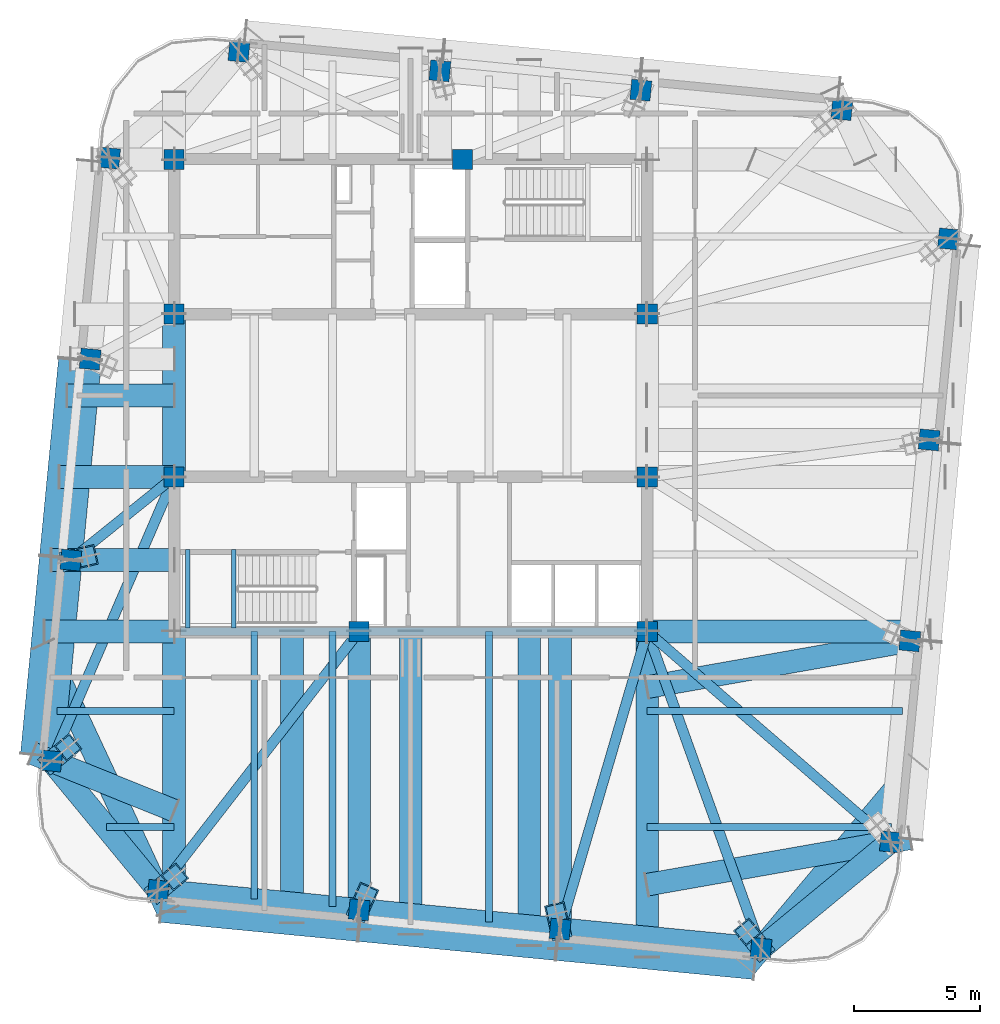
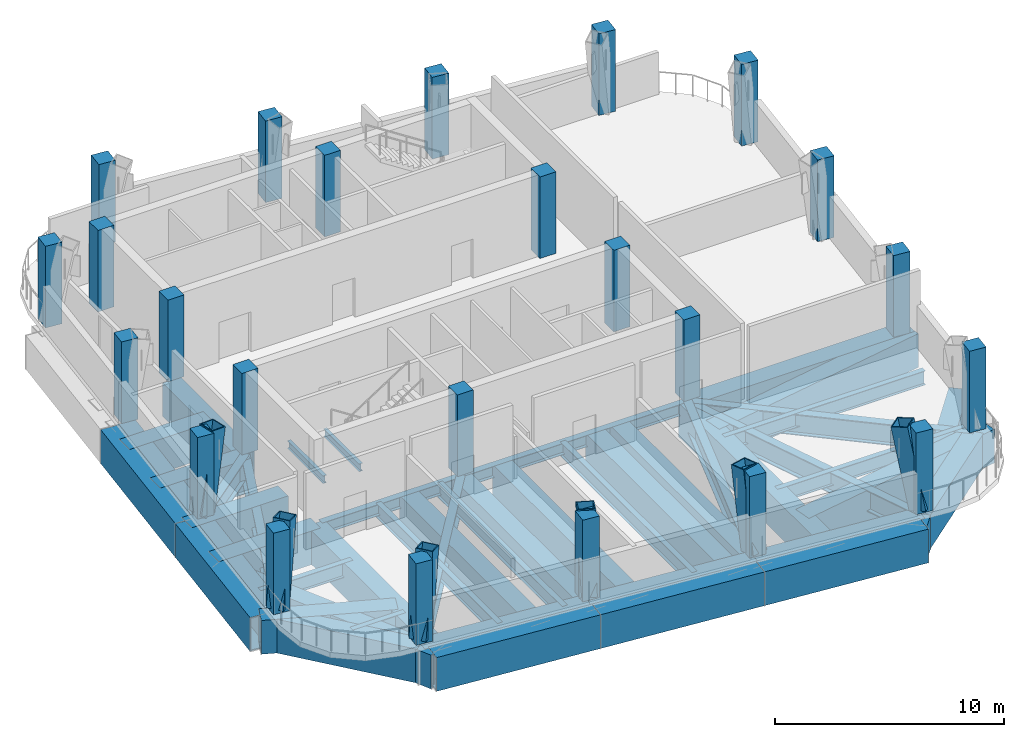
# One storey, part 1 of 9: 46 beams, 24 columns, 6 members.
"""IFC4 building model written with IfcOpenShell, lengths in metres."""

import ifcopenshell
import ifcopenshell.guid

model = None  # the IFC model being written
_history = None  # IfcOwnerHistory: only IFC2X3 demands one
_inside = {}  # id of a spatial element -> (the spatial element, [elements in it])
_under = {}  # id of a project, library or spatial element -> (it, [spatial elements below it])
_declared = {}  # id of a project -> (the project, [libraries it declares])
_typed = {}  # id of a type object -> (the type object, [elements of that type])
_made_of = {}  # id of a material, layer set ... -> (it, [elements and type objects made of it])


def new_model(schema):
    """Start an empty IFC model of exactly this schema.

    Asked for "IFC4X3", IfcOpenShell would pick the latest addendum, in which some entities
    have other attributes; the version numbers below select the first issue.
    IFC2X3 requires an IfcOwnerHistory on every rooted entity: one is made here for all.
    """
    global model, _history
    if schema == "IFC4X3":
        model = ifcopenshell.file(schema_version=(4, 3, 0, 0))
    else:
        model = ifcopenshell.file(schema=schema)
    _inside.clear()
    _under.clear()
    _declared.clear()
    _typed.clear()
    _made_of.clear()
    _history = None
    if model.schema == "IFC2X3":
        org = make("IfcOrganization", Name="unknown")
        user = make(
            "IfcPersonAndOrganization",
            ThePerson=make("IfcPerson", FamilyName="unknown"),
            TheOrganization=org,
        )
        app = make(
            "IfcApplication",
            ApplicationDeveloper=org,
            Version="unknown",
            ApplicationFullName="unknown",
            ApplicationIdentifier="unknown",
        )
        _history = make(
            "IfcOwnerHistory",
            OwningUser=user,
            OwningApplication=app,
            ChangeAction="ADDED",
            CreationDate=0,
        )
    return model


def make(cls, **values):
    """One entity of the class cls with the attributes given. An attribute that is None is left unset."""
    return model.create_entity(
        cls, **{name: value for name, value in values.items() if value is not None}
    )


def rooted(cls, **values):
    """An entity with a GlobalId (a new one), such as an element, a storey or a relation."""
    return make(cls, GlobalId=ifcopenshell.guid.new(), OwnerHistory=_history, **values)


def si_unit(unit_type, name, prefix=None):
    """IfcSIUnit, for example si_unit("LENGTHUNIT", "METRE", prefix="MILLI")."""
    return make("IfcSIUnit", UnitType=unit_type, Prefix=prefix, Name=name)


def assignment(units):
    """IfcUnitAssignment: the units of a project."""
    return None if units is None else make("IfcUnitAssignment", Units=units)


def point(xyz):
    """IfcCartesianPoint."""
    return None if xyz is None else make("IfcCartesianPoint", Coordinates=xyz)


def direction(xyz):
    """IfcDirection."""
    return None if xyz is None else make("IfcDirection", DirectionRatios=xyz)


def frame(location, z_axis=None, x_axis=None):
    """IfcAxis2Placement3D, a coordinate frame: its origin and axes. An axis left out is left unset."""
    return make(
        "IfcAxis2Placement3D",
        Location=point(location),
        Axis=direction(z_axis),
        RefDirection=direction(x_axis),
    )


def frame_2d(location, x_axis=None):
    """IfcAxis2Placement2D, a coordinate frame in the plane: its origin and x axis."""
    return make(
        "IfcAxis2Placement2D", Location=point(location), RefDirection=direction(x_axis)
    )


def origin():
    """The frame at (0, 0, 0) with its axes left unset."""
    return frame((0.0, 0.0, 0.0))


def origin_2d():
    """The frame at (0, 0) in the plane with its x axis left unset."""
    return frame_2d((0.0, 0.0))


def place(relative_to, where):
    """IfcLocalPlacement: puts the frame where relative to a parent placement (None: the world)."""
    return make(
        "IfcLocalPlacement", PlacementRelTo=relative_to, RelativePlacement=where
    )


def context(
    kind, dimensions, precision=None, world=None, true_north=None, identifier=None
):
    """IfcGeometricRepresentationContext, for example the 3D "Model" context."""
    return make(
        "IfcGeometricRepresentationContext",
        ContextIdentifier=identifier,
        ContextType=kind,
        CoordinateSpaceDimension=dimensions,
        Precision=precision,
        WorldCoordinateSystem=world,
        TrueNorth=true_north,
    )


def subcontext(parent, identifier, kind, view, scale=None):
    """IfcGeometricRepresentationSubContext, for example "Body" below "Model"."""
    return make(
        "IfcGeometricRepresentationSubContext",
        ContextIdentifier=identifier,
        ContextType=kind,
        ParentContext=parent,
        TargetScale=scale,
        TargetView=view,
    )


def project(units=None, contexts=None):
    """IfcProject with its units and contexts."""
    return rooted(
        "IfcProject",
        Name="project",
        RepresentationContexts=contexts,
        UnitsInContext=assignment(units),
    )


def spatial(cls, under=None, at=None, **own):
    """A site, building, storey or space (cls), placed at a placement, below another one or the project."""
    s = rooted(cls, ObjectPlacement=at, **own)
    if under is not None:
        _under.setdefault(under.id(), (under, []))[1].append(s)
    return s


def profile(cls, at=None, kind="AREA", **sizes):
    """A parametric profile (cls). Its sizes go by their IFC names, for example OverallWidth=200.0."""
    return make(cls, ProfileType=kind, Position=at, **sizes)


def rectangle(**sizes):
    """IfcRectangleProfileDef."""
    return profile("IfcRectangleProfileDef", **sizes)


def hollow_rectangle(**sizes):
    """IfcRectangleHollowProfileDef."""
    return profile("IfcRectangleHollowProfileDef", **sizes)


def i_section(**sizes):
    """IfcIShapeProfileDef."""
    return profile("IfcIShapeProfileDef", **sizes)


def extrude(swept, where, along, depth):
    """IfcExtrudedAreaSolid: the profile swept, set in the frame where, extruded along a direction by depth."""
    return make(
        "IfcExtrudedAreaSolid",
        SweptArea=swept,
        Position=where,
        ExtrudedDirection=direction(along),
        Depth=depth,
    )


def shape(context_of_items, identifier, shape_type, items):
    """IfcShapeRepresentation: the items that make up one representation, for example the "Body"."""
    return make(
        "IfcShapeRepresentation",
        ContextOfItems=context_of_items,
        RepresentationIdentifier=identifier,
        RepresentationType=shape_type,
        Items=items,
    )


def material(Name=None, Category=None):
    """IfcMaterial."""
    return make("IfcMaterial", Name=Name, Category=Category)


def material_profile(
    of_material, cross_section, Name=None, Category=None, Priority=None
):
    """IfcMaterialProfile: a cross section and its material."""
    return make(
        "IfcMaterialProfile",
        Name=Name,
        Material=of_material,
        Profile=cross_section,
        Priority=Priority,
        Category=Category,
    )


def profile_set(profiles, Name=None, composite=None):
    """IfcMaterialProfileSet."""
    return make(
        "IfcMaterialProfileSet",
        Name=Name,
        MaterialProfiles=profiles,
        CompositeProfile=composite,
    )


def made_of(thing, what):
    """Note that an element or type object is made of a material, layer set ...; save() writes the relation."""
    if what is not None:
        _made_of.setdefault(what.id(), (what, []))[1].append(thing)
    return thing


def type_object(cls, material=None, **own):
    """A type object (cls), such as IfcWallType, which elements share."""
    return made_of(rooted(cls, **own), material)


def element(
    cls,
    number,
    at=None,
    inside=None,
    cuts=None,
    type_object=None,
    material=None,
    context=None,
    identifier="Body",
    shape_type=None,
    held_by="IfcProductDefinitionShape",
    body=None,
    shapes=None,
    **own,
):
    """One element of the class cls, such as IfcWall. Its Tag is "e" and its number.

    at: its placement. inside: the storey or other place that contains it. cuts: it is an
    opening in that element (IfcRelVoidsElement). A single representation is given by context,
    identifier, shape_type and body (its items); several are given by shapes. held_by: the class
    of the entity that holds the representations. save() writes the other relations.
    """
    e = rooted(cls, Tag="e%d" % number, ObjectPlacement=at, **own)
    if body is not None:
        shapes = [shape(context, identifier, shape_type, body)]
    if shapes is not None:
        e.Representation = make(held_by, Representations=shapes)
    if inside is not None:
        _inside.setdefault(inside.id(), (inside, []))[1].append(e)
    if cuts is not None:
        rooted(
            "IfcRelVoidsElement", RelatingBuildingElement=cuts, RelatedOpeningElement=e
        )
    if type_object is not None:
        _typed.setdefault(type_object.id(), (type_object, []))[1].append(e)
    return made_of(e, material)


def aggregate(whole, parts):
    """IfcRelAggregates: a whole, such as a stair, and the parts it consists of."""
    return rooted("IfcRelAggregates", RelatingObject=whole, RelatedObjects=parts)


def save(model, path):
    """Write the relations noted so far, then the file.

    IfcRelAggregates (storeys below a building ...), IfcRelContainedInSpatialStructure (elements
    in a storey), IfcRelDefinesByType, IfcRelAssociatesMaterial and IfcRelDeclares: one each for
    every whole, place, type object, material and project.
    """
    for whole, parts in _under.values():
        aggregate(whole, parts)
    for where, things in _inside.values():
        rooted(
            "IfcRelContainedInSpatialStructure",
            RelatedElements=things,
            RelatingStructure=where,
        )
    for kind, things in _typed.values():
        rooted("IfcRelDefinesByType", RelatedObjects=things, RelatingType=kind)
    for what, things in _made_of.values():
        rooted("IfcRelAssociatesMaterial", RelatedObjects=things, RelatingMaterial=what)
    for by, libraries in _declared.values():
        rooted("IfcRelDeclares", RelatingContext=by, RelatedDefinitions=libraries)
    model.write(path)


model = new_model("IFC4")

# Units and contexts
model_context = context("Model", 3, precision=1e-05, world=origin(), true_north=direction((0.0, 1.0)))
body_context = subcontext(model_context, "Body", "Model", "MODEL_VIEW")
ifc_project = project(units=[si_unit("LENGTHUNIT", "METRE"), si_unit("AREAUNIT", "SQUARE_METRE"), si_unit("VOLUMEUNIT", "CUBIC_METRE"), si_unit("PLANEANGLEUNIT", "RADIAN"), si_unit("MASSUNIT", "GRAM", prefix="KILO")], contexts=[model_context])

# Site, building, storey
site_placement = place(None, origin())
site = spatial("IfcSite", under=ifc_project, at=site_placement, CompositionType="ELEMENT")
building_placement = place(site_placement, origin())
building = spatial("IfcBuilding", under=site, at=building_placement, Name="Qhalaya Broadcast Tower", CompositionType="ELEMENT")
storey_placement = place(building_placement, frame((0.0, 0.0, 284.89990234375)))
storey = spatial("IfcBuildingStorey", under=building, at=storey_placement, Name="L84", CompositionType="ELEMENT", Elevation=284.89990234375)

# Columns
ifc_material_1 = material(Name="Concrete C50/60", Category="concrete")
ifc_material_profile_1 = material_profile(ifc_material_1, rectangle(XDim=0.800048828125, YDim=0.800048828125, at=origin_2d()), Name="RC-COL 800x800")
ifc_profile_set_1 = profile_set([ifc_material_profile_1], Name="Concrete C50/60")
column_type = type_object("IfcColumnType", Name="RC Upper Column C10", PredefinedType="COLUMN", material=ifc_profile_set_1)
for number, where, z_axis, x_axis, name in (
    (1, (-10.00537109375, -19.012939453125, 0.0), (0.0, 0.0, 1.0), (0.995396198367, -0.09584575252, 0.0), "L84 Column COL-CR01"),
    (2, (-2.042236328125, -19.77978515625, 0.0), (0.0, 0.0, 1.0), (0.995396198367, -0.09584575252, 0.0), "L84 Column COL-CR02"),
    (3, (5.9208984375, -20.54638671875, 0.0), (0.0, 0.0, 1.0), (0.995396198367, -0.09584575252, 0.0), "L84 Column COL-CR03"),
    (4, (13.884033203125, -21.313232421875, 0.0), (0.0, 0.0, 1.0), (0.995396198367, -0.09584575252, 0.0), "L84 Column COL-CR04"),
    (5, (19.012939453125, -17.08544921875, 0.0), (0.0, 0.0, 1.0), (0.09584575252, 0.995396198367, 0.0), "L84 Column COL-CR05"),
    (6, (19.77978515625, -9.122314453125, 0.0), (0.0, 0.0, 1.0), (0.09584575252, 0.995396198367, 0.0), "L84 Column COL-CR06"),
    (7, (20.54638671875, -1.158935546875, 0.0), (0.0, 0.0, 1.0), (0.09584575252, 0.995396198367, 0.0), "L84 Column COL-CR07"),
    (8, (21.313232421875, 6.80419921875, 0.0), (0.0, 0.0, 1.0), (0.09584575252, 0.995396198367, 0.0), "L84 Column COL-CR08"),
    (9, (17.08544921875, 11.93310546875, 0.0), (0.0, 0.0, 1.0), (0.995396198367, -0.09584575252, 0.0), "L84 Column COL-CR09"),
    (10, (9.122314453125, 12.69970703125, 0.0), (0.0, 0.0, 1.0), (0.995396198367, -0.09584575252, 0.0), "L84 Column COL-CR10"),
    (11, (1.158935546875, 13.466552734375, 0.0), (0.0, 0.0, 1.0), (0.995396198367, -0.09584575252, 0.0), "L84 Column COL-CR11"),
    (12, (-6.80419921875, 14.2333984375, 0.0), (0.0, 0.0, 1.0), (0.995396198367, -0.09584575252, 0.0), "L84 Column COL-CR12"),
    (13, (-11.93310546875, 10.00537109375, 0.0), (0.0, 0.0, 1.0), (0.09584575252, 0.995396198367, 0.0), "L84 Column COL-CR13"),
    (14, (-12.69970703125, 2.042236328125, 0.0), (0.0, 0.0, 1.0), (0.09584575252, 0.995396198367, 0.0), "L84 Column COL-CR14"),
    (15, (-13.466552734375, -5.9208984375, 0.0), (0.0, 0.0, 1.0), (0.09584575252, 0.995396198367, 0.0), "L84 Column COL-CR15"),
    (16, (-14.2333984375, -13.884033203125, 0.0), (0.0, 0.0, 1.0), (0.09584575252, 0.995396198367, 0.0), "L84 Column COL-CR16"),
    (17, (-9.375, 9.949951171875, 0.0), (0.0, 0.0, 1.0), (1.0, 0.0, 0.0), "L84 Column COL-CC1"),
    (18, (2.050048828125, 9.949951171875, 0.0), (0.0, 0.0, 1.0), (1.0, 0.0, 0.0), "L84 Column COL-CC2"),
    (19, (-9.375, 3.824951171875, 0.0), (0.0, 0.0, 1.0), (1.0, 0.0, 0.0), "L84 Column COL-CC3"),
    (20, (9.375, 3.824951171875, 0.0), (0.0, 0.0, 1.0), (1.0, 0.0, 0.0), "L84 Column COL-CC4"),
    (21, (-9.375, -2.625, 0.0), (0.0, 0.0, 1.0), (1.0, 0.0, 0.0), "L84 Column COL-CC5"),
    (22, (9.375, -2.625, 0.0), (0.0, 0.0, 1.0), (1.0, 0.0, 0.0), "L84 Column COL-CC6"),
    (23, (-2.050048828125, -8.75, 0.0), (0.0, 0.0, 1.0), (1.0, 0.0, 0.0), "L84 Column COL-CC7"),
    (24, (9.375, -8.75, 0.0), (0.0, 0.0, 1.0), (1.0, 0.0, 0.0), "L84 Column COL-CC8"),
):
    element("IfcColumn", number, at=place(storey_placement, frame(where, z_axis=z_axis, x_axis=x_axis)), inside=storey, type_object=column_type, Name=name, PredefinedType="COLUMN", context=body_context, shape_type="SweptSolid", body=[
        extrude(rectangle(XDim=0.800048828125, YDim=0.800048828125, at=origin_2d()), origin(), (0.0, 0.0, 1.0), 4.35009765625),
    ])

# Beams
ifc_material_2 = material(Name="Structural Steel ASTM A572 Grade 50", Category="steel")
ifc_material_profile_2 = material_profile(ifc_material_2, hollow_rectangle(XDim=0.89990234375, YDim=1.800048828125, WallThickness=0.06005859375, at=origin_2d()), Name="BOX 900x1800x60")
ifc_profile_set_2 = profile_set([ifc_material_profile_2], Name="Structural Steel ASTM A572 Grade 50")
beam_type_1 = type_object("IfcBeamType", Name="Block Cantilever Transfer Box Girder TG1", PredefinedType="USERDEFINED", material=ifc_profile_set_2)
for number, where, z_axis, x_axis, name in (
    (25, (-10.00537109375, -19.012939453125, -1.179931640625), (0.995395208061, -0.095856036684, 0.0), (0.095856036684, 0.995395208061, 0.0), "L84 TG1 L84-SPR-01"),
    (26, (-2.042236328125, -19.77978515625, -1.179931640625), (0.995398119444, -0.095825799278, 0.0), (0.095825799278, 0.995398119444, 0.0), "L84 TG1 L84-SPR-02"),
    (27, (5.9208984375, -20.54638671875, -1.179931640625), (0.995395208061, -0.095856036684, 0.0), (0.095856036684, 0.995395208061, 0.0), "L84 TG1 L84-SPR-03"),
):
    element("IfcBeam", number, at=place(storey_placement, frame(where, z_axis=z_axis, x_axis=x_axis)), inside=storey, type_object=beam_type_1, Name=name, ObjectType="GIRDER", PredefinedType="USERDEFINED", context=body_context, shape_type="SweptSolid", body=[
        extrude(hollow_rectangle(XDim=0.89990234375, YDim=1.800048828125, WallThickness=0.06005859375, at=origin_2d()), origin(), (0.0, 0.0, 1.0), 8.0),
    ])
beam_1_placement = place(storey_placement, frame((13.884033203125, -21.313232421875, -1.179931640625), z_axis=(0.771636459898, 0.636063812645, 0.0), x_axis=(-0.636063812645, 0.771636459898, 0.0)))
element("IfcBeam", 28, at=beam_1_placement, inside=storey, type_object=beam_type_1, Name="L84 TG1 L84-SPR-04", ObjectType="GIRDER", PredefinedType="USERDEFINED", context=body_context, shape_type="SweptSolid", body=[
    extrude(hollow_rectangle(XDim=0.89990234375, YDim=1.800048828125, WallThickness=0.06005859375, at=origin_2d()), origin(), (0.0, 0.0, 1.0), 6.646728515625),
])
for number, where, z_axis, x_axis, name in (
    (29, (-12.69970703125, 2.042236328125, -1.179931640625), (-0.095856036684, -0.995395208061, 0.0), (0.995395208061, -0.095856036684, 0.0), "L84 TG1 L84-SPR-14"),
    (30, (-13.466552734375, -5.9208984375, -1.179931640625), (-0.095856036684, -0.995395208061, 0.0), (0.995395208061, -0.095856036684, 0.0), "L84 TG1 L84-SPR-15"),
):
    element("IfcBeam", number, at=place(storey_placement, frame(where, z_axis=z_axis, x_axis=x_axis)), inside=storey, type_object=beam_type_1, Name=name, ObjectType="GIRDER", PredefinedType="USERDEFINED", context=body_context, shape_type="SweptSolid", body=[
        extrude(hollow_rectangle(XDim=0.89990234375, YDim=1.800048828125, WallThickness=0.06005859375, at=origin_2d()), origin(), (0.0, 0.0, 1.0), 8.0),
    ])
beam_2_placement = place(storey_placement, frame((-14.2333984375, -13.884033203125, -1.179931640625), z_axis=(0.636085682117, -0.771618432262, 0.0), x_axis=(0.771618432262, 0.636085682117, 0.0)))
element("IfcBeam", 31, at=beam_2_placement, inside=storey, type_object=beam_type_1, Name="L84 TG1 L84-SPR-16", ObjectType="GIRDER", PredefinedType="USERDEFINED", context=body_context, shape_type="SweptSolid", body=[
    extrude(hollow_rectangle(XDim=0.89990234375, YDim=1.800048828125, WallThickness=0.06005859375, at=origin_2d()), origin(), (0.0, 0.0, 1.0), 6.64697265625),
])
beam_3_placement = place(storey_placement, frame((-9.883056640625, -19.82861328125, -1.179931640625), z_axis=(0.995397308407, -0.095834223619, 0.0), x_axis=(0.095834223619, 0.995397308407, 0.0)))
element("IfcBeam", 32, at=beam_3_placement, inside=storey, type_object=beam_type_1, Name="L84 TG1 L84-TGL-01", ObjectType="GIRDER", PredefinedType="USERDEFINED", context=body_context, shape_type="SweptSolid", body=[
    extrude(hollow_rectangle(XDim=0.89990234375, YDim=1.800048828125, WallThickness=0.06005859375, at=origin_2d()), origin(), (0.0, 0.0, 1.0), 7.86669921875),
])
beam_4_placement = place(storey_placement, frame((-2.052490234375, -20.58251953125, -1.179931640625), z_axis=(0.995397023367, -0.095837184179, 0.0), x_axis=(0.095837184179, 0.995397023367, 0.0)))
element("IfcBeam", 33, at=beam_4_placement, inside=storey, type_object=beam_type_1, Name="L84 TG1 L84-TGL-02", ObjectType="GIRDER", PredefinedType="USERDEFINED", context=body_context, shape_type="SweptSolid", body=[
    extrude(hollow_rectangle(XDim=0.89990234375, YDim=1.800048828125, WallThickness=0.06005859375, at=origin_2d()), origin(), (0.0, 0.0, 1.0), 7.866455078125),
])
beam_5_placement = place(storey_placement, frame((5.77783203125, -21.33642578125, -1.179931640625), z_axis=(0.995397308407, -0.095834223619, 0.0), x_axis=(0.095834223619, 0.995397308407, 0.0)))
element("IfcBeam", 34, at=beam_5_placement, inside=storey, type_object=beam_type_1, Name="L84 TG1 L84-TGL-03", ObjectType="GIRDER", PredefinedType="USERDEFINED", context=body_context, shape_type="SweptSolid", body=[
    extrude(hollow_rectangle(XDim=0.89990234375, YDim=1.800048828125, WallThickness=0.06005859375, at=origin_2d()), origin(), (0.0, 0.0, 1.0), 7.86669921875),
])
beam_6_placement = place(storey_placement, frame((-13.50244140625, 2.052490234375, -1.179931640625), z_axis=(-0.095837184179, -0.995397023367, 0.0), x_axis=(0.995397023367, -0.095837184179, 0.0)))
element("IfcBeam", 35, at=beam_6_placement, inside=storey, type_object=beam_type_1, Name="L84 TG1 L84-TGL-14", ObjectType="GIRDER", PredefinedType="USERDEFINED", context=body_context, shape_type="SweptSolid", body=[
    extrude(hollow_rectangle(XDim=0.89990234375, YDim=1.800048828125, WallThickness=0.06005859375, at=origin_2d()), origin(), (0.0, 0.0, 1.0), 7.866455078125),
])
beam_7_placement = place(storey_placement, frame((-14.25634765625, -5.77783203125, -1.179931640625), z_axis=(-0.095864972855, -0.995394347472, 0.0), x_axis=(0.995394347472, -0.095864972855, 0.0)))
element("IfcBeam", 36, at=beam_7_placement, inside=storey, type_object=beam_type_1, Name="L84 TG1 L84-TGL-15", ObjectType="GIRDER", PredefinedType="USERDEFINED", context=body_context, shape_type="SweptSolid", body=[
    extrude(hollow_rectangle(XDim=0.89990234375, YDim=1.800048828125, WallThickness=0.06005859375, at=origin_2d()), origin(), (0.0, 0.0, 1.0), 7.86669921875),
])
beam_8_placement = place(storey_placement, frame((0.0, -20.739990234375, -1.179931640625), z_axis=(0.0, 1.0, 0.0), x_axis=(-1.0, 0.0, 0.0)))
element("IfcBeam", 37, at=beam_8_placement, inside=storey, type_object=beam_type_1, Name="L84 TG1 L84-TGIMS-1", ObjectType="GIRDER", PredefinedType="USERDEFINED", context=body_context, shape_type="SweptSolid", body=[
    extrude(hollow_rectangle(XDim=0.89990234375, YDim=1.800048828125, WallThickness=0.06005859375, at=origin_2d()), origin(), (0.0, 0.0, 1.0), 11.989990234375),
])
beam_9_placement = place(storey_placement, frame((-4.699951171875, -20.287353515625, -1.179931640625), z_axis=(0.0, 1.0, 0.0), x_axis=(-1.0, 0.0, 0.0)))
element("IfcBeam", 38, at=beam_9_placement, inside=storey, type_object=beam_type_1, Name="L84 TG1 L84-TGIMSW-1", ObjectType="GIRDER", PredefinedType="USERDEFINED", context=body_context, shape_type="SweptSolid", body=[
    extrude(hollow_rectangle(XDim=0.89990234375, YDim=1.800048828125, WallThickness=0.06005859375, at=origin_2d()), origin(), (0.0, 0.0, 1.0), 11.537353515625),
])
beam_10_placement = place(storey_placement, frame((4.699951171875, -21.1923828125, -1.179931640625), z_axis=(0.0, 1.0, 0.0), x_axis=(-1.0, 0.0, 0.0)))
element("IfcBeam", 39, at=beam_10_placement, inside=storey, type_object=beam_type_1, Name="L84 TG1 L84-TGIMSE-1", ObjectType="GIRDER", PredefinedType="USERDEFINED", context=body_context, shape_type="SweptSolid", body=[
    extrude(hollow_rectangle(XDim=0.89990234375, YDim=1.800048828125, WallThickness=0.06005859375, at=origin_2d()), origin(), (0.0, 0.0, 1.0), 12.4423828125),
])
beam_11_placement = place(storey_placement, frame((-13.60205078125, 0.60009765625, -1.179931640625), z_axis=(1.0, 0.0, 0.0), x_axis=(0.0, 1.0, 0.0)))
element("IfcBeam", 40, at=beam_11_placement, inside=storey, type_object=beam_type_1, Name="L84 TG1 L84-TGIYW-1", ObjectType="GIRDER", PredefinedType="USERDEFINED", context=body_context, shape_type="SweptSolid", body=[
    extrude(hollow_rectangle(XDim=0.89990234375, YDim=1.800048828125, WallThickness=0.06005859375, at=origin_2d()), origin(), (0.0, 0.0, 1.0), 4.22705078125),
])
beam_12_placement = place(storey_placement, frame((-9.375, -19.837158203125, -1.179931640625), z_axis=(0.0, 1.0, 0.0), x_axis=(-1.0, 0.0, 0.0)))
element("IfcBeam", 41, at=beam_12_placement, inside=storey, type_object=beam_type_1, Name="L84 TG1 L84-TGISW-1", ObjectType="GIRDER", PredefinedType="USERDEFINED", context=body_context, shape_type="SweptSolid", body=[
    extrude(hollow_rectangle(XDim=0.89990234375, YDim=1.800048828125, WallThickness=0.06005859375, at=origin_2d()), origin(), (0.0, 0.0, 1.0), 11.087158203125),
])
beam_13_placement = place(storey_placement, frame((9.375, -21.642578125, -1.179931640625), z_axis=(0.0, 1.0, 0.0), x_axis=(-1.0, 0.0, 0.0)))
element("IfcBeam", 42, at=beam_13_placement, inside=storey, type_object=beam_type_1, Name="L84 TG1 L84-TGISE-1", ObjectType="GIRDER", PredefinedType="USERDEFINED", context=body_context, shape_type="SweptSolid", body=[
    extrude(hollow_rectangle(XDim=0.89990234375, YDim=1.800048828125, WallThickness=0.06005859375, at=origin_2d()), origin(), (0.0, 0.0, 1.0), 12.892578125),
])
beam_14_placement = place(storey_placement, frame((-9.375, -2.625, -1.179931640625), z_axis=(0.0, 1.0, 0.0), x_axis=(-1.0, 0.0, 0.0)))
element("IfcBeam", 43, at=beam_14_placement, inside=storey, type_object=beam_type_1, Name="L84 TG1 L84-TGIMW-1", ObjectType="GIRDER", PredefinedType="USERDEFINED", context=body_context, shape_type="SweptSolid", body=[
    extrude(hollow_rectangle(XDim=0.89990234375, YDim=1.800048828125, WallThickness=0.06005859375, at=origin_2d()), origin(), (0.0, 0.0, 1.0), 6.449951171875),
])
beam_15_placement = place(storey_placement, frame((-14.50244140625, -8.75, -1.179931640625), z_axis=(1.0, 0.0, 0.0), x_axis=(0.0, 1.0, 0.0)))
element("IfcBeam", 44, at=beam_15_placement, inside=storey, type_object=beam_type_1, Name="L84 TG1 L84-TGIY1W-1", ObjectType="GIRDER", PredefinedType="USERDEFINED", context=body_context, shape_type="SweptSolid", body=[
    extrude(hollow_rectangle(XDim=0.89990234375, YDim=1.800048828125, WallThickness=0.06005859375, at=origin_2d()), origin(), (0.0, 0.0, 1.0), 5.12744140625),
])
beam_16_placement = place(storey_placement, frame((9.375, -8.75, -1.179931640625), z_axis=(1.0, 0.0, 0.0), x_axis=(0.0, 1.0, 0.0)))
element("IfcBeam", 45, at=beam_16_placement, inside=storey, type_object=beam_type_1, Name="L84 TG1 L84-TGIY1E-1", ObjectType="GIRDER", PredefinedType="USERDEFINED", context=body_context, shape_type="SweptSolid", body=[
    extrude(hollow_rectangle(XDim=0.89990234375, YDim=1.800048828125, WallThickness=0.06005859375, at=origin_2d()), origin(), (0.0, 0.0, 1.0), 11.2041015625),
])
beam_17_placement = place(storey_placement, frame((-13.91259765625, -2.625, -1.179931640625), z_axis=(1.0, 0.0, 0.0), x_axis=(0.0, 1.0, 0.0)))
element("IfcBeam", 46, at=beam_17_placement, inside=storey, type_object=beam_type_1, Name="L84 TG1 L84-TGIY2W-1", ObjectType="GIRDER", PredefinedType="USERDEFINED", context=body_context, shape_type="SweptSolid", body=[
    extrude(hollow_rectangle(XDim=0.89990234375, YDim=1.800048828125, WallThickness=0.06005859375, at=origin_2d()), origin(), (0.0, 0.0, 1.0), 4.53759765625),
])
beam_18_placement = place(storey_placement, frame((-14.5517578125, -9.26318359375, -1.179931640625), z_axis=(0.422615610144, -0.906309023492, 0.0), x_axis=(0.906309023492, 0.422615610144, 0.0)))
element("IfcBeam", 47, at=beam_18_placement, inside=storey, type_object=beam_type_1, Name="L84 Spanning Transfer Box Girder 01", ObjectType="GIRDER", PredefinedType="USERDEFINED", context=body_context, shape_type="SweptSolid", body=[
    extrude(hollow_rectangle(XDim=0.89990234375, YDim=1.800048828125, WallThickness=0.06005859375, at=origin_2d()), origin(), (0.0, 0.0, 1.0), 11.639892578125),
])
beam_19_placement = place(storey_placement, frame((-2.042236328125, -20.543212890625, -1.179931640625), z_axis=(0.0, 1.0, 0.0), x_axis=(-1.0, 0.0, 0.0)))
element("IfcBeam", 48, at=beam_19_placement, inside=storey, type_object=beam_type_1, Name="L84 Spanning Transfer Box Girder 02", ObjectType="GIRDER", PredefinedType="USERDEFINED", context=body_context, shape_type="SweptSolid", body=[
    extrude(hollow_rectangle(XDim=0.89990234375, YDim=1.800048828125, WallThickness=0.06005859375, at=origin_2d()), origin(), (0.0, 0.0, 1.0), 11.793212890625),
])
beam_20_placement = place(storey_placement, frame((5.9208984375, -21.31005859375, -1.179931640625), z_axis=(0.0, 1.0, 0.0), x_axis=(-1.0, 0.0, 0.0)))
element("IfcBeam", 49, at=beam_20_placement, inside=storey, type_object=beam_type_1, Name="L84 Spanning Transfer Box Girder 03", ObjectType="GIRDER", PredefinedType="USERDEFINED", context=body_context, shape_type="SweptSolid", body=[
    extrude(hollow_rectangle(XDim=0.89990234375, YDim=1.800048828125, WallThickness=0.06005859375, at=origin_2d()), origin(), (0.0, 0.0, 1.0), 12.56005859375),
])
beam_21_placement = place(storey_placement, frame((13.29150390625, -22.019775390625, -1.179931640625), z_axis=(0.642765894193, 0.766062664057, 0.0), x_axis=(-0.766062664057, 0.642765894193, 0.0)))
element("IfcBeam", 50, at=beam_21_placement, inside=storey, type_object=beam_type_1, Name="L84 Spanning Transfer Box Girder 04", ObjectType="GIRDER", PredefinedType="USERDEFINED", context=body_context, shape_type="SweptSolid", body=[
    extrude(hollow_rectangle(XDim=0.89990234375, YDim=1.800048828125, WallThickness=0.06005859375, at=origin_2d()), origin(), (0.0, 0.0, 1.0), 10.561767578125),
])
beam_22_placement = place(storey_placement, frame((9.375, -18.784912109375, -1.179931640625), z_axis=(0.984807506281, 0.173649576943, 0.0), x_axis=(-0.173649576943, 0.984807506281, 0.0)))
element("IfcBeam", 51, at=beam_22_placement, inside=storey, type_object=beam_type_1, Name="L84 Spanning Transfer Box Girder 05", ObjectType="GIRDER", PredefinedType="USERDEFINED", context=body_context, shape_type="SweptSolid", body=[
    extrude(hollow_rectangle(XDim=0.89990234375, YDim=1.800048828125, WallThickness=0.06005859375, at=origin_2d()), origin(), (0.0, 0.0, 1.0), 10.567138671875),
])
beam_23_placement = place(storey_placement, frame((9.375, -10.956787109375, -1.179931640625), z_axis=(0.984806279854, 0.173656532154, 0.0), x_axis=(-0.173656532154, 0.984806279854, 0.0)))
element("IfcBeam", 52, at=beam_23_placement, inside=storey, type_object=beam_type_1, Name="L84 Spanning Transfer Box Girder 06", ObjectType="GIRDER", PredefinedType="USERDEFINED", context=body_context, shape_type="SweptSolid", body=[
    extrude(hollow_rectangle(XDim=0.89990234375, YDim=1.800048828125, WallThickness=0.06005859375, at=origin_2d()), origin(), (0.0, 0.0, 1.0), 11.35400390625),
])
beam_24_placement = place(storey_placement, frame((-14.22998046875, -5.9208984375, -1.179931640625), z_axis=(1.0, 0.0, 0.0), x_axis=(0.0, 1.0, 0.0)))
element("IfcBeam", 53, at=beam_24_placement, inside=storey, type_object=beam_type_1, Name="L84 Spanning Transfer Box Girder 15", ObjectType="GIRDER", PredefinedType="USERDEFINED", context=body_context, shape_type="SweptSolid", body=[
    extrude(hollow_rectangle(XDim=0.89990234375, YDim=1.800048828125, WallThickness=0.06005859375, at=origin_2d()), origin(), (0.0, 0.0, 1.0), 4.85498046875),
])
beam_25_placement = place(storey_placement, frame((-14.96826171875, -13.587158203125, -1.179931640625), z_axis=(0.927187239861, -0.374598214411, 0.0), x_axis=(0.374598214411, 0.927187239861, 0.0)))
element("IfcBeam", 54, at=beam_25_placement, inside=storey, type_object=beam_type_1, Name="L84 Spanning Transfer Box Girder 16", ObjectType="GIRDER", PredefinedType="USERDEFINED", context=body_context, shape_type="SweptSolid", body=[
    extrude(hollow_rectangle(XDim=0.89990234375, YDim=1.800048828125, WallThickness=0.06005859375, at=origin_2d()), origin(), (0.0, 0.0, 1.0), 6.032470703125),
])
ifc_material_3 = material(Name="Structural Steel ASTM A992 Grade 50", Category="steel")
ifc_material_profile_3 = material_profile(ifc_material_3, i_section(OverallWidth=0.323974609375, OverallDepth=0.612060546875, WebThickness=0.0126953125, FlangeThickness=0.01904296875, at=origin_2d()), Name="W24X104")
ifc_profile_set_3 = profile_set([ifc_material_profile_3], Name="Structural Steel ASTM A992 Grade 50")
beam_type_2 = type_object("IfcBeamType", Name="Core Frame Tie Beam B04", PredefinedType="BEAM", material=ifc_profile_set_3)
beam_26_placement = place(storey_placement, frame((-9.1201171875, -8.75, -0.5859375), z_axis=(1.0, 0.0, 0.0), x_axis=(0.0, 1.0, 0.0)))
element("IfcBeam", 55, at=beam_26_placement, inside=storey, type_object=beam_type_2, Name="L84 B04 L84-CCS3", PredefinedType="BEAM", context=body_context, shape_type="SweptSolid", body=[
    extrude(i_section(OverallWidth=0.323974609375, OverallDepth=0.612060546875, WebThickness=0.0126953125, FlangeThickness=0.01904296875, at=origin_2d()), origin(), (0.0, 0.0, 1.0), 18.4951171875),
])
ifc_material_profile_4 = material_profile(ifc_material_3, i_section(OverallWidth=0.26708984375, OverallDepth=0.761962890625, WebThickness=0.014404296875, FlangeThickness=0.021484375, at=origin_2d()), Name="W30X116")
ifc_profile_set_4 = profile_set([ifc_material_profile_4], Name="Structural Steel ASTM A992 Grade 50")
beam_type_3 = type_object("IfcBeamType", Name="Plant & Server Floor Beam B02", PredefinedType="BEAM", material=ifc_profile_set_4)
beam_27_placement = place(storey_placement, frame((-6.199951171875, -19.359375, -0.660888671875), z_axis=(0.0, 1.0, 0.0), x_axis=(-1.0, 0.0, 0.0)))
element("IfcBeam", 56, at=beam_27_placement, inside=storey, type_object=beam_type_3, Name="L84 B02 L84-JNS1-1", PredefinedType="BEAM", context=body_context, shape_type="SweptSolid", body=[
    extrude(i_section(OverallWidth=0.26708984375, OverallDepth=0.761962890625, WebThickness=0.014404296875, FlangeThickness=0.021484375, at=origin_2d()), origin(), (0.0, 0.0, 1.0), 10.609375),
])
beam_28_placement = place(storey_placement, frame((-3.10009765625, -19.65771484375, -0.660888671875), z_axis=(0.0, 1.0, 0.0), x_axis=(-1.0, 0.0, 0.0)))
element("IfcBeam", 57, at=beam_28_placement, inside=storey, type_object=beam_type_3, Name="L84 B02 L84-JNS2-1", PredefinedType="BEAM", context=body_context, shape_type="SweptSolid", body=[
    extrude(i_section(OverallWidth=0.26708984375, OverallDepth=0.761962890625, WebThickness=0.014404296875, FlangeThickness=0.021484375, at=origin_2d()), origin(), (0.0, 0.0, 1.0), 10.90771484375),
])
beam_29_placement = place(storey_placement, frame((3.10009765625, -20.2548828125, -0.660888671875), z_axis=(0.0, 1.0, 0.0), x_axis=(-1.0, 0.0, 0.0)))
element("IfcBeam", 58, at=beam_29_placement, inside=storey, type_object=beam_type_3, Name="L84 B02 L84-JNS4-1", PredefinedType="BEAM", context=body_context, shape_type="SweptSolid", body=[
    extrude(i_section(OverallWidth=0.26708984375, OverallDepth=0.761962890625, WebThickness=0.014404296875, FlangeThickness=0.021484375, at=origin_2d()), origin(), (0.0, 0.0, 1.0), 11.5048828125),
])
beam_30_placement = place(storey_placement, frame((-12.051025390625, -16.5, -0.660888671875), z_axis=(1.0, 0.0, 0.0), x_axis=(0.0, 1.0, 0.0)))
element("IfcBeam", 59, at=beam_30_placement, inside=storey, type_object=beam_type_3, Name="L84 B02 L84-JWE1W-1", PredefinedType="BEAM", context=body_context, shape_type="SweptSolid", body=[
    extrude(i_section(OverallWidth=0.26708984375, OverallDepth=0.761962890625, WebThickness=0.014404296875, FlangeThickness=0.021484375, at=origin_2d()), origin(), (0.0, 0.0, 1.0), 2.676025390625),
])
beam_31_placement = place(storey_placement, frame((9.375, -16.5, -0.660888671875), z_axis=(1.0, 0.0, 0.0), x_axis=(0.0, 1.0, 0.0)))
element("IfcBeam", 60, at=beam_31_placement, inside=storey, type_object=beam_type_3, Name="L84 B02 L84-JWE1E-1", PredefinedType="BEAM", context=body_context, shape_type="SweptSolid", body=[
    extrude(i_section(OverallWidth=0.26708984375, OverallDepth=0.761962890625, WebThickness=0.014404296875, FlangeThickness=0.021484375, at=origin_2d()), origin(), (0.0, 0.0, 1.0), 9.67431640625),
])
beam_32_placement = place(storey_placement, frame((-14.022216796875, -11.89990234375, -0.660888671875), z_axis=(1.0, 0.0, 0.0), x_axis=(0.0, 1.0, 0.0)))
element("IfcBeam", 61, at=beam_32_placement, inside=storey, type_object=beam_type_3, Name="L84 B02 L84-JWE2W-1", PredefinedType="BEAM", context=body_context, shape_type="SweptSolid", body=[
    extrude(i_section(OverallWidth=0.26708984375, OverallDepth=0.761962890625, WebThickness=0.014404296875, FlangeThickness=0.021484375, at=origin_2d()), origin(), (0.0, 0.0, 1.0), 4.647216796875),
])
beam_33_placement = place(storey_placement, frame((9.375, -11.89990234375, -0.660888671875), z_axis=(1.0, 0.0, 0.0), x_axis=(0.0, 1.0, 0.0)))
element("IfcBeam", 62, at=beam_33_placement, inside=storey, type_object=beam_type_3, Name="L84 B02 L84-JWE2E-1", PredefinedType="BEAM", context=body_context, shape_type="SweptSolid", body=[
    extrude(i_section(OverallWidth=0.26708984375, OverallDepth=0.761962890625, WebThickness=0.014404296875, FlangeThickness=0.021484375, at=origin_2d()), origin(), (0.0, 0.0, 1.0), 10.1171875),
])
ifc_material_profile_5 = material_profile(ifc_material_3, i_section(OverallWidth=0.404052734375, OverallDepth=1.117919921875, WebThickness=0.026123046875, FlangeThickness=0.044921875, at=origin_2d()), Name="W44X335")
ifc_profile_set_5 = profile_set([ifc_material_profile_5], Name="Structural Steel ASTM A992 Grade 50")
beam_type_4 = type_object("IfcBeamType", Name="Podium Long-Span Primary Girder PG1", PredefinedType="USERDEFINED", material=ifc_profile_set_5)
beam_34_placement = place(storey_placement, frame((-2.050048828125, -8.75, -0.8388671875), z_axis=(-0.612645958276, -0.790357469635, 0.0), x_axis=(0.790357469635, -0.612645958276, 0.0)))
element("IfcBeam", 63, at=beam_34_placement, inside=storey, type_object=beam_type_4, Name="L84 Column-to-Column Moment Tie Girder 01-1", ObjectType="GIRDER", PredefinedType="USERDEFINED", context=body_context, shape_type="SweptSolid", body=[
    extrude(i_section(OverallWidth=0.404052734375, OverallDepth=1.117919921875, WebThickness=0.026123046875, FlangeThickness=0.044921875, at=origin_2d()), origin(), (0.0, 0.0, 1.0), 12.985107421875),
])
beam_35_placement = place(storey_placement, frame((9.375, -8.75, -0.8388671875), z_axis=(-0.281011198921, -0.959704488935, 0.0), x_axis=(0.959704488935, -0.281011198921, 0.0)))
element("IfcBeam", 64, at=beam_35_placement, inside=storey, type_object=beam_type_4, Name="L84 Column-to-Column Moment Tie Girder 03-1", ObjectType="GIRDER", PredefinedType="USERDEFINED", context=body_context, shape_type="SweptSolid", body=[
    extrude(i_section(OverallWidth=0.404052734375, OverallDepth=1.117919921875, WebThickness=0.026123046875, FlangeThickness=0.044921875, at=origin_2d()), origin(), (0.0, 0.0, 1.0), 12.291748046875),
])
beam_36_placement = place(storey_placement, frame((9.375, -8.75, -0.8388671875), z_axis=(0.337808666875, -0.941214802574, 0.0), x_axis=(0.941214802574, 0.337808666875, 0.0)))
element("IfcBeam", 65, at=beam_36_placement, inside=storey, type_object=beam_type_4, Name="L84 Column-to-Column Moment Tie Girder 04-1", ObjectType="GIRDER", PredefinedType="USERDEFINED", context=body_context, shape_type="SweptSolid", body=[
    extrude(i_section(OverallWidth=0.404052734375, OverallDepth=1.117919921875, WebThickness=0.026123046875, FlangeThickness=0.044921875, at=origin_2d()), origin(), (0.0, 0.0, 1.0), 13.347900390625),
])
beam_37_placement = place(storey_placement, frame((9.375, -8.75, -0.8388671875), z_axis=(0.75636573454, -0.654148970506, 0.0), x_axis=(0.654148970506, 0.75636573454, 0.0)))
element("IfcBeam", 66, at=beam_37_placement, inside=storey, type_object=beam_type_4, Name="L84 Column-to-Column Moment Tie Girder 05-1", ObjectType="GIRDER", PredefinedType="USERDEFINED", context=body_context, shape_type="SweptSolid", body=[
    extrude(i_section(OverallWidth=0.404052734375, OverallDepth=1.117919921875, WebThickness=0.026123046875, FlangeThickness=0.044921875, at=origin_2d()), origin(), (0.0, 0.0, 1.0), 12.742431640625),
])
beam_38_placement = place(storey_placement, frame((-9.375, -2.625, -0.8388671875), z_axis=(-0.778760845564, -0.627320926971, 0.0), x_axis=(0.627320926971, -0.778760845564, 0.0)))
element("IfcBeam", 67, at=beam_38_placement, inside=storey, type_object=beam_type_4, Name="L84 Column-to-Column Moment Tie Girder 15-1", ObjectType="GIRDER", PredefinedType="USERDEFINED", context=body_context, shape_type="SweptSolid", body=[
    extrude(i_section(OverallWidth=0.404052734375, OverallDepth=1.117919921875, WebThickness=0.026123046875, FlangeThickness=0.044921875, at=origin_2d()), origin(), (0.0, 0.0, 1.0), 5.25390625),
])
beam_39_placement = place(storey_placement, frame((-9.375, -2.625, -0.8388671875), z_axis=(-0.396198406886, -0.918164921123, 0.0), x_axis=(0.918164921123, -0.396198406886, 0.0)))
element("IfcBeam", 68, at=beam_39_placement, inside=storey, type_object=beam_type_4, Name="L84 Column-to-Column Moment Tie Girder 16-1", ObjectType="GIRDER", PredefinedType="USERDEFINED", context=body_context, shape_type="SweptSolid", body=[
    extrude(i_section(OverallWidth=0.404052734375, OverallDepth=1.117919921875, WebThickness=0.026123046875, FlangeThickness=0.044921875, at=origin_2d()), origin(), (0.0, 0.0, 1.0), 12.262451171875),
])

# Members
ifc_material_profile_6 = material_profile(ifc_material_2, hollow_rectangle(XDim=0.800048828125, YDim=0.800048828125, WallThickness=0.050048828125, at=origin_2d()), Name="BOX 800x800x50")
ifc_profile_set_6 = profile_set([ifc_material_profile_6], Name="Structural Steel ASTM A572 Grade 50")
member_type = type_object("IfcMemberType", Name="Upper Exoskeleton Transfer Strut RK2", PredefinedType="BRACE", material=ifc_profile_set_6)
member_1_placement = place(storey_placement, frame((-10.00537109375, -19.012939453125, 0.088134765625), z_axis=(0.150676893233, 0.124215738605, 0.980748145106), x_axis=(-0.636100456597, 0.771606252643, 0.0)))
element("IfcMember", 69, at=member_1_placement, inside=storey, type_object=member_type, Name="L84 Inclined Exoskeleton Transfer Strut 01", PredefinedType="BRACE", context=body_context, shape_type="SweptSolid", body=[
    extrude(hollow_rectangle(XDim=0.800048828125, YDim=0.800048828125, WallThickness=0.050048828125, at=origin_2d()), origin(), (0.0, 0.0, 1.0), 4.345703125),
])
for number, where, z_axis, x_axis, name in (
    (70, (-2.042236328125, -19.77978515625, 0.068603515625), (0.059286972374, 0.133579020534, 0.989263210769), (-0.914018351142, 0.405672840815, 0.0), "L84 Inclined Exoskeleton Transfer Strut 02"),
    (71, (5.9208984375, -20.54638671875, 0.068603515625), (-0.032718097253, 0.142380133564, 0.989271157812), (-0.974599029174, -0.223956987687, 0.0), "L84 Inclined Exoskeleton Transfer Strut 03"),
):
    element("IfcMember", number, at=place(storey_placement, frame(where, z_axis=z_axis, x_axis=x_axis)), inside=storey, type_object=member_type, Name=name, PredefinedType="BRACE", context=body_context, shape_type="SweptSolid", body=[
        extrude(hollow_rectangle(XDim=0.800048828125, YDim=0.800048828125, WallThickness=0.050048828125, at=origin_2d()), origin(), (0.0, 0.0, 1.0), 4.327880859375),
    ])
member_2_placement = place(storey_placement, frame((13.884033203125, -21.313232421875, 0.088134765625), z_axis=(-0.124160424075, 0.150677944511, 0.980754987819), x_axis=(-0.771747467177, -0.635929120977, 0.0)))
element("IfcMember", 72, at=member_2_placement, inside=storey, type_object=member_type, Name="L84 Inclined Exoskeleton Transfer Strut 04", PredefinedType="BRACE", context=body_context, shape_type="SweptSolid", body=[
    extrude(hollow_rectangle(XDim=0.800048828125, YDim=0.800048828125, WallThickness=0.050048828125, at=origin_2d()), origin(), (0.0, 0.0, 1.0), 4.345703125),
])
member_3_placement = place(storey_placement, frame((-13.466552734375, -5.9208984375, 0.068603515625), z_axis=(0.142435399851, 0.032717834421, 0.989263210769), x_axis=(-0.223872738033, 0.974618385403, 0.0)))
element("IfcMember", 73, at=member_3_placement, inside=storey, type_object=member_type, Name="L84 Inclined Exoskeleton Transfer Strut 15", PredefinedType="BRACE", context=body_context, shape_type="SweptSolid", body=[
    extrude(hollow_rectangle(XDim=0.800048828125, YDim=0.800048828125, WallThickness=0.050048828125, at=origin_2d()), origin(), (0.0, 0.0, 1.0), 4.327880859375),
])
member_4_placement = place(storey_placement, frame((-14.2333984375, -13.884033203125, 0.088134765625), z_axis=(0.150677944511, 0.124160424075, 0.980754987819), x_axis=(-0.635929120977, 0.771747467177, 0.0)))
element("IfcMember", 74, at=member_4_placement, inside=storey, type_object=member_type, Name="L84 Inclined Exoskeleton Transfer Strut 16", PredefinedType="BRACE", context=body_context, shape_type="SweptSolid", body=[
    extrude(hollow_rectangle(XDim=0.800048828125, YDim=0.800048828125, WallThickness=0.050048828125, at=origin_2d()), origin(), (0.0, 0.0, 1.0), 4.345703125),
])

# Beams
ifc_material_profile_7 = material_profile(ifc_material_3, i_section(OverallWidth=0.177978515625, OverallDepth=0.406005859375, WebThickness=0.0078125, FlangeThickness=0.0126953125, at=origin_2d()), Name="W16X40")
ifc_profile_set_7 = profile_set([ifc_material_profile_7], Name="Structural Steel ASTM A992 Grade 50")
beam_type_5 = type_object("IfcBeamType", Name="Upper Perimeter Spandrel Beam SP2", PredefinedType="SPANDREL", material=ifc_profile_set_7)
for number, where, z_axis, x_axis, name in (
    (75, (-8.830078125, -8.6201171875, 1.772216796875), (0.0, 1.0, 0.0), (-1.0, 0.0, 0.0), "L84 ST-2 Half-Landing Bearer Beam 1"),
    (76, (-7.014892578125, -8.6201171875, 1.772216796875), (0.0, 1.0, 0.0), (-1.0, 0.0, 0.0), "L84 ST-2 Half-Landing Bearer Beam 2"),
):
    element("IfcBeam", number, at=place(storey_placement, frame(where, z_axis=z_axis, x_axis=x_axis)), inside=storey, type_object=beam_type_5, Name=name, PredefinedType="SPANDREL", context=body_context, shape_type="SweptSolid", body=[
        extrude(i_section(OverallWidth=0.177978515625, OverallDepth=0.406005859375, WebThickness=0.0078125, FlangeThickness=0.0126953125, at=origin_2d()), origin(), (0.0, 0.0, 1.0), 3.1201171875),
    ])

save(model, "model.ifc")
